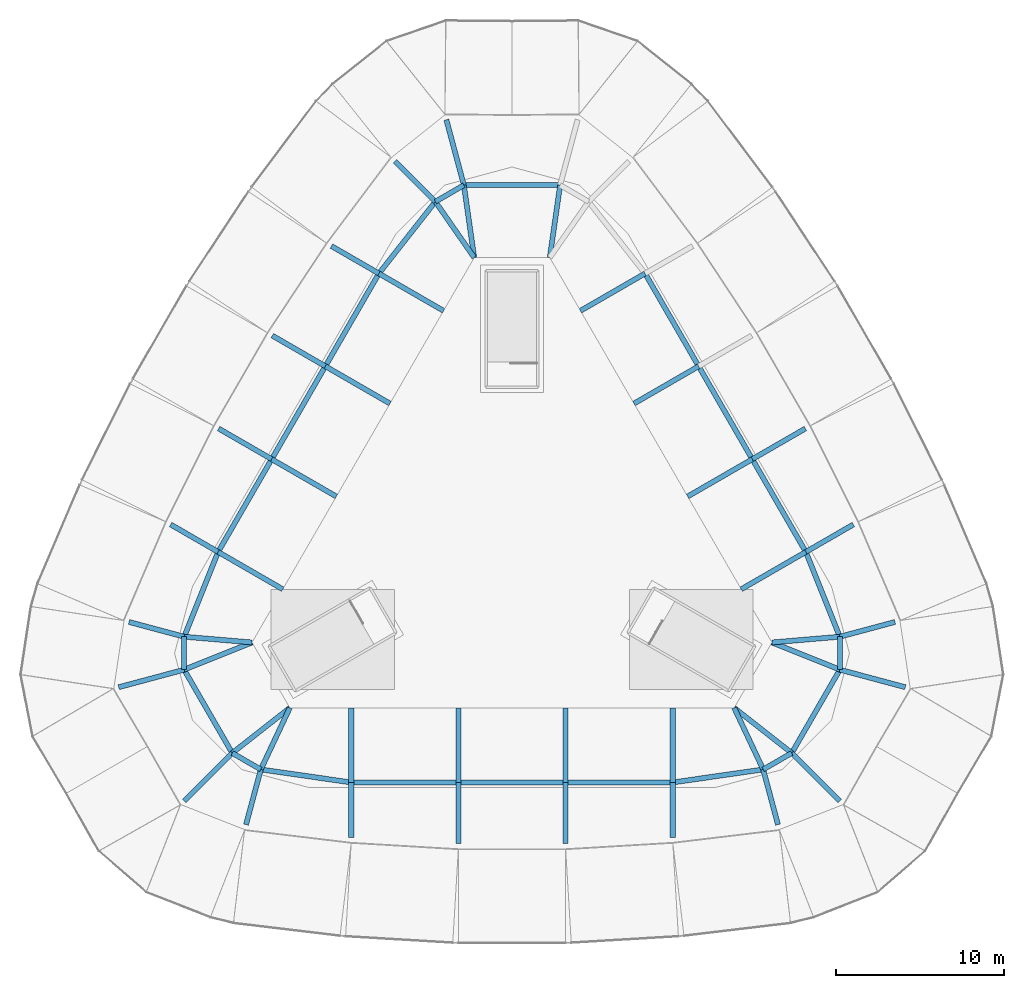
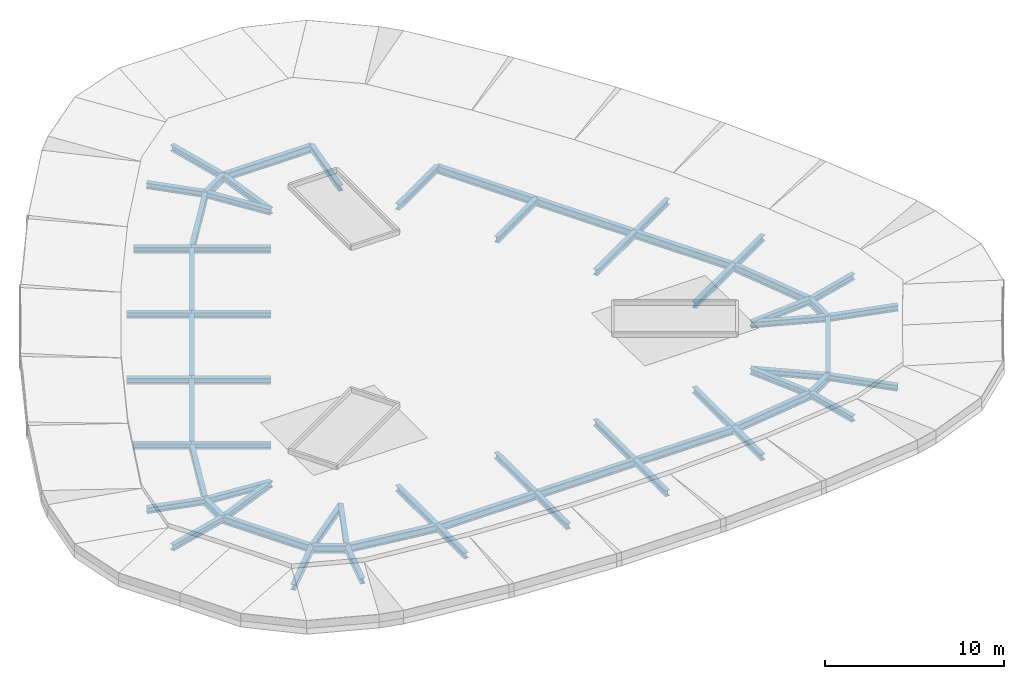
# One storey, part 1 of 9: 65 beams.
"""IFC4 building model written with IfcOpenShell, lengths in metres."""

from ifc_helpers import new_model, si_unit, direction, frame, origin, origin_2d, place, context, subcontext, project, spatial, i_section, extrude, material, material_profile, profile_set, type_object, element, save


model = new_model("IFC4")

# Units and contexts
model_context = context("Model", 3, precision=1e-05, world=origin(), true_north=direction((0.0, 1.0)))
body_context = subcontext(model_context, "Body", "Model", "MODEL_VIEW")
ifc_project = project(units=[si_unit("LENGTHUNIT", "METRE"), si_unit("AREAUNIT", "SQUARE_METRE"), si_unit("VOLUMEUNIT", "CUBIC_METRE"), si_unit("PLANEANGLEUNIT", "RADIAN"), si_unit("MASSUNIT", "GRAM", prefix="KILO")], contexts=[model_context])

# Site, building, storey
site_placement = place(None, origin())
site = spatial("IfcSite", under=ifc_project, at=site_placement, CompositionType="ELEMENT")
building_placement = place(site_placement, origin())
building = spatial("IfcBuilding", under=site, at=building_placement, Name="Mestral Congress Tower", CompositionType="ELEMENT")
storey_placement = place(building_placement, frame((0.0, 0.0, 348.60009765625)))
storey = spatial("IfcBuildingStorey", under=building, at=storey_placement, Name="L81", CompositionType="ELEMENT", Elevation=348.60009765625)

# Beams
ifc_material = material(Name="Steel S355", Category="steel")
ifc_material_profile_1 = material_profile(ifc_material, i_section(OverallWidth=0.300048828125, OverallDepth=0.39990234375, WebThickness=0.013427734375, FlangeThickness=0.02392578125, FilletRadius=0.027099609375, at=origin_2d()), Name="HEB 400")
ifc_profile_set_1 = profile_set([ifc_material_profile_1], Name="Steel S355")
beam_type_1 = type_object("IfcBeamType", Name="Floor beam HEB 400 S355", PredefinedType="BEAM", material=ifc_profile_set_1)
for number, where, z_axis, x_axis, name in (
    (1, (9.587158203125, -10.25, -0.60009765625), (0.0, -1.0, 0.0), (1.0, 0.0, 0.0), "BM-L81-KR00"),
    (2, (3.199462890625, -10.25, -0.60009765625), (0.0, -1.0, 0.0), (1.0, 0.0, 0.0), "BM-L81-KR01"),
    (3, (-3.199462890625, -10.25, -0.60009765625), (0.0, -1.0, 0.0), (1.0, 0.0, 0.0), "BM-L81-KR02"),
    (4, (-9.587158203125, -10.25, -0.60009765625), (0.0, -1.0, 0.0), (1.0, 0.0, 0.0), "BM-L81-KR03"),
):
    element("IfcBeam", number, at=place(storey_placement, frame(where, z_axis=z_axis, x_axis=x_axis)), inside=storey, type_object=beam_type_1, Name=name, PredefinedType="BEAM", context=body_context, shape_type="SweptSolid", body=[
        extrude(i_section(OverallWidth=0.300048828125, OverallDepth=0.39990234375, WebThickness=0.013427734375, FlangeThickness=0.02392578125, FilletRadius=0.027099609375, at=origin_2d()), origin(), (0.0, 0.0, 1.0), 4.449951171875),
    ])
beam_1_placement = place(storey_placement, frame((-13.250244140625, -10.25, -0.60009765625), z_axis=(-0.425828884258, -0.904803714256, 0.0), x_axis=(0.904803714256, -0.425828884258, 0.0)))
element("IfcBeam", 5, at=beam_1_placement, inside=storey, type_object=beam_type_1, Name="BM-L81-KR04", PredefinedType="BEAM", context=body_context, shape_type="SweptSolid", body=[
    extrude(i_section(OverallWidth=0.300048828125, OverallDepth=0.39990234375, WebThickness=0.013427734375, FlangeThickness=0.02392578125, FilletRadius=0.027099609375, at=origin_2d()), origin(), (0.0, 0.0, 1.0), 4.060791015625),
])
for number, where, z_axis, x_axis, name in (
    (6, (-13.250244140625, -10.25, -0.60009765625), (-0.786533746493, -0.617547298292, 0.0), (0.617547298292, -0.786533746493, 0.0), "BM-L81-KR05"),
    (7, (-15.501953125, -6.35009765625, -0.60009765625), (-0.928078801871, -0.372383857757, 0.0), (0.372383857757, -0.928078801871, 0.0), "BM-L81-KR06"),
):
    element("IfcBeam", number, at=place(storey_placement, frame(where, z_axis=z_axis, x_axis=x_axis)), inside=storey, type_object=beam_type_1, Name=name, PredefinedType="BEAM", context=body_context, shape_type="SweptSolid", body=[
        extrude(i_section(OverallWidth=0.300048828125, OverallDepth=0.39990234375, WebThickness=0.013427734375, FlangeThickness=0.02392578125, FilletRadius=0.027099609375, at=origin_2d()), origin(), (0.0, 0.0, 1.0), 4.364501953125),
    ])
beam_2_placement = place(storey_placement, frame((-15.501953125, -6.35009765625, -0.60009765625), z_axis=(-0.996497077205, 0.083627597852, 0.0), x_axis=(-0.083627597852, -0.996497077205, 0.0)))
element("IfcBeam", 8, at=beam_2_placement, inside=storey, type_object=beam_type_1, Name="BM-L81-KR07", PredefinedType="BEAM", context=body_context, shape_type="SweptSolid", body=[
    extrude(i_section(OverallWidth=0.300048828125, OverallDepth=0.39990234375, WebThickness=0.013427734375, FlangeThickness=0.02392578125, FilletRadius=0.027099609375, at=origin_2d()), origin(), (0.0, 0.0, 1.0), 4.060791015625),
])
for number, where, z_axis, x_axis, name in (
    (9, (-13.67041015625, -3.177734375, -0.60009765625), (-0.866012907634, 0.500021643343, 0.0), (-0.500021643343, -0.866012907634, 0.0), "BM-L81-KR08"),
    (10, (-10.4765625, 2.35400390625, -0.60009765625), (-0.866012907634, 0.500021643343, 0.0), (-0.500021643343, -0.866012907634, 0.0), "BM-L81-KR09"),
    (11, (-7.277099609375, 7.89599609375, -0.60009765625), (-0.866036664382, 0.499980495566, 0.0), (-0.499980495566, -0.866036664382, 0.0), "BM-L81-KR10"),
    (12, (-4.083251953125, 13.427734375, -0.60009765625), (-0.866036664382, 0.499980495566, 0.0), (-0.499980495566, -0.866036664382, 0.0), "BM-L81-KR11"),
):
    element("IfcBeam", number, at=place(storey_placement, frame(where, z_axis=z_axis, x_axis=x_axis)), inside=storey, type_object=beam_type_1, Name=name, PredefinedType="BEAM", context=body_context, shape_type="SweptSolid", body=[
        extrude(i_section(OverallWidth=0.300048828125, OverallDepth=0.39990234375, WebThickness=0.013427734375, FlangeThickness=0.02392578125, FilletRadius=0.027099609375, at=origin_2d()), origin(), (0.0, 0.0, 1.0), 4.449951171875),
    ])
beam_3_placement = place(storey_placement, frame((-2.251708984375, 16.60009765625, -0.60009765625), z_axis=(-0.570662800291, 0.821184491064, 0.0), x_axis=(-0.821184491064, -0.570662800291, 0.0)))
element("IfcBeam", 13, at=beam_3_placement, inside=storey, type_object=beam_type_1, Name="BM-L81-KR12", PredefinedType="BEAM", context=body_context, shape_type="SweptSolid", body=[
    extrude(i_section(OverallWidth=0.300048828125, OverallDepth=0.39990234375, WebThickness=0.013427734375, FlangeThickness=0.02392578125, FilletRadius=0.027099609375, at=origin_2d()), origin(), (0.0, 0.0, 1.0), 4.060791015625),
])
for number, where, z_axis, x_axis, name in (
    (14, (-2.251708984375, 16.60009765625, -0.60009765625), (-0.141523162666, 0.989934944544, 0.0), (-0.989934944544, -0.141523162666, 0.0), "BM-L81-KR13"),
    (15, (2.251708984375, 16.60009765625, -0.60009765625), (0.141523162666, 0.989934944544, 0.0), (-0.989934944544, 0.141523162666, 0.0), "BM-L81-KR14"),
):
    element("IfcBeam", number, at=place(storey_placement, frame(where, z_axis=z_axis, x_axis=x_axis)), inside=storey, type_object=beam_type_1, Name=name, PredefinedType="BEAM", context=body_context, shape_type="SweptSolid", body=[
        extrude(i_section(OverallWidth=0.300048828125, OverallDepth=0.39990234375, WebThickness=0.013427734375, FlangeThickness=0.02392578125, FilletRadius=0.027099609375, at=origin_2d()), origin(), (0.0, 0.0, 1.0), 4.364501953125),
    ])
for number, where, z_axis, x_axis, name in (
    (16, (4.083251953125, 13.427734375, -0.60009765625), (0.866036664382, 0.499980495566, 0.0), (-0.499980495566, 0.866036664382, 0.0), "BM-L81-KR16"),
    (17, (7.277099609375, 7.89599609375, -0.60009765625), (0.866036664382, 0.499980495566, 0.0), (-0.499980495566, 0.866036664382, 0.0), "BM-L81-KR17"),
    (18, (10.4765625, 2.35400390625, -0.60009765625), (0.866012907634, 0.500021643343, 0.0), (-0.500021643343, 0.866012907634, 0.0), "BM-L81-KR18"),
    (19, (13.67041015625, -3.177734375, -0.60009765625), (0.866012907634, 0.500021643343, 0.0), (-0.500021643343, 0.866012907634, 0.0), "BM-L81-KR19"),
):
    element("IfcBeam", number, at=place(storey_placement, frame(where, z_axis=z_axis, x_axis=x_axis)), inside=storey, type_object=beam_type_1, Name=name, PredefinedType="BEAM", context=body_context, shape_type="SweptSolid", body=[
        extrude(i_section(OverallWidth=0.300048828125, OverallDepth=0.39990234375, WebThickness=0.013427734375, FlangeThickness=0.02392578125, FilletRadius=0.027099609375, at=origin_2d()), origin(), (0.0, 0.0, 1.0), 4.449951171875),
    ])
beam_4_placement = place(storey_placement, frame((15.501953125, -6.35009765625, -0.60009765625), z_axis=(0.996497077205, 0.083627597852, 0.0), x_axis=(-0.083627597852, 0.996497077205, 0.0)))
element("IfcBeam", 20, at=beam_4_placement, inside=storey, type_object=beam_type_1, Name="BM-L81-KR20", PredefinedType="BEAM", context=body_context, shape_type="SweptSolid", body=[
    extrude(i_section(OverallWidth=0.300048828125, OverallDepth=0.39990234375, WebThickness=0.013427734375, FlangeThickness=0.02392578125, FilletRadius=0.027099609375, at=origin_2d()), origin(), (0.0, 0.0, 1.0), 4.060791015625),
])
for number, where, z_axis, x_axis, name in (
    (21, (15.501953125, -6.35009765625, -0.60009765625), (0.928078801871, -0.372383857757, 0.0), (0.372383857757, 0.928078801871, 0.0), "BM-L81-KR21"),
    (22, (13.250244140625, -10.25, -0.60009765625), (0.786533746493, -0.617547298292, 0.0), (0.617547298292, 0.786533746493, 0.0), "BM-L81-KR22"),
):
    element("IfcBeam", number, at=place(storey_placement, frame(where, z_axis=z_axis, x_axis=x_axis)), inside=storey, type_object=beam_type_1, Name=name, PredefinedType="BEAM", context=body_context, shape_type="SweptSolid", body=[
        extrude(i_section(OverallWidth=0.300048828125, OverallDepth=0.39990234375, WebThickness=0.013427734375, FlangeThickness=0.02392578125, FilletRadius=0.027099609375, at=origin_2d()), origin(), (0.0, 0.0, 1.0), 4.364501953125),
    ])
beam_5_placement = place(storey_placement, frame((13.250244140625, -10.25, -0.60009765625), z_axis=(0.425828884258, -0.904803714256, 0.0), x_axis=(0.904803714256, 0.425828884258, 0.0)))
element("IfcBeam", 23, at=beam_5_placement, inside=storey, type_object=beam_type_1, Name="BM-L81-KR23", PredefinedType="BEAM", context=body_context, shape_type="SweptSolid", body=[
    extrude(i_section(OverallWidth=0.300048828125, OverallDepth=0.39990234375, WebThickness=0.013427734375, FlangeThickness=0.02392578125, FilletRadius=0.027099609375, at=origin_2d()), origin(), (0.0, 0.0, 1.0), 4.060791015625),
])
beam_6_placement = place(storey_placement, frame((9.587158203125, -17.96875, -0.60009765625), z_axis=(0.0, 1.0, 0.0), x_axis=(-1.0, 0.0, 0.0)))
element("IfcBeam", 24, at=beam_6_placement, inside=storey, type_object=beam_type_1, Name="BM-L81-KT-C5-S04", PredefinedType="BEAM", context=body_context, shape_type="SweptSolid", body=[
    extrude(i_section(OverallWidth=0.300048828125, OverallDepth=0.39990234375, WebThickness=0.013427734375, FlangeThickness=0.02392578125, FilletRadius=0.027099609375, at=origin_2d()), origin(), (0.0, 0.0, 1.0), 3.268798828125),
])
for number, where, z_axis, x_axis, name in (
    (25, (3.199462890625, -18.35009765625, -0.60009765625), (0.0, 1.0, 0.0), (-1.0, 0.0, 0.0), "BM-L81-KT-C5-S03"),
    (26, (-3.199462890625, -18.35009765625, -0.60009765625), (0.0, 1.0, 0.0), (-1.0, 0.0, 0.0), "BM-L81-KT-C5-S02"),
):
    element("IfcBeam", number, at=place(storey_placement, frame(where, z_axis=z_axis, x_axis=x_axis)), inside=storey, type_object=beam_type_1, Name=name, PredefinedType="BEAM", context=body_context, shape_type="SweptSolid", body=[
        extrude(i_section(OverallWidth=0.300048828125, OverallDepth=0.39990234375, WebThickness=0.013427734375, FlangeThickness=0.02392578125, FilletRadius=0.027099609375, at=origin_2d()), origin(), (0.0, 0.0, 1.0), 3.650146484375),
    ])
beam_7_placement = place(storey_placement, frame((-9.587158203125, -17.96875, -0.60009765625), z_axis=(0.0, 1.0, 0.0), x_axis=(-1.0, 0.0, 0.0)))
element("IfcBeam", 27, at=beam_7_placement, inside=storey, type_object=beam_type_1, Name="BM-L81-KT-C5-S01", PredefinedType="BEAM", context=body_context, shape_type="SweptSolid", body=[
    extrude(i_section(OverallWidth=0.300048828125, OverallDepth=0.39990234375, WebThickness=0.013427734375, FlangeThickness=0.02392578125, FilletRadius=0.027099609375, at=origin_2d()), origin(), (0.0, 0.0, 1.0), 3.268798828125),
])
beam_8_placement = place(storey_placement, frame((-15.86181640625, -17.21728515625, -0.60009765625), z_axis=(0.258812449793, 0.965927593473, 0.0), x_axis=(-0.965927593473, 0.258812449793, 0.0)))
element("IfcBeam", 28, at=beam_8_placement, inside=storey, type_object=beam_type_1, Name="BM-L81-KT-C5-S00", PredefinedType="BEAM", context=body_context, shape_type="SweptSolid", body=[
    extrude(i_section(OverallWidth=0.300048828125, OverallDepth=0.39990234375, WebThickness=0.013427734375, FlangeThickness=0.02392578125, FilletRadius=0.027099609375, at=origin_2d()), origin(), (0.0, 0.0, 1.0), 3.4091796875),
])
beam_9_placement = place(storey_placement, frame((-19.538818359375, -15.80078125, -0.60009765625), z_axis=(0.707137007821, 0.70707655326, 0.0), x_axis=(-0.70707655326, 0.707137007821, 0.0)))
element("IfcBeam", 29, at=beam_9_placement, inside=storey, type_object=beam_type_1, Name="BM-L81-KT-C5-SW3", PredefinedType="BEAM", context=body_context, shape_type="SweptSolid", body=[
    extrude(i_section(OverallWidth=0.300048828125, OverallDepth=0.39990234375, WebThickness=0.013427734375, FlangeThickness=0.02392578125, FilletRadius=0.027099609375, at=origin_2d()), origin(), (0.0, 0.0, 1.0), 4.038330078125),
])
beam_10_placement = place(storey_placement, frame((-23.453369140625, -9.0205078125, -0.60009765625), z_axis=(0.965930242246, 0.258802563966, 0.0), x_axis=(-0.258802563966, 0.965930242246, 0.0)))
element("IfcBeam", 30, at=beam_10_placement, inside=storey, type_object=beam_type_1, Name="BM-L81-KT-C5-SW1", PredefinedType="BEAM", context=body_context, shape_type="SweptSolid", body=[
    extrude(i_section(OverallWidth=0.300048828125, OverallDepth=0.39990234375, WebThickness=0.013427734375, FlangeThickness=0.02392578125, FilletRadius=0.027099609375, at=origin_2d()), origin(), (0.0, 0.0, 1.0), 4.03857421875),
])
beam_11_placement = place(storey_placement, frame((-22.841552734375, -5.1279296875, -0.60009765625), z_axis=(0.965909688455, -0.258879264811, 0.0), x_axis=(0.258879264811, 0.965909688455, 0.0)))
element("IfcBeam", 31, at=beam_11_placement, inside=storey, type_object=beam_type_1, Name="BM-L81-KT-C5-W05", PredefinedType="BEAM", context=body_context, shape_type="SweptSolid", body=[
    extrude(i_section(OverallWidth=0.300048828125, OverallDepth=0.39990234375, WebThickness=0.013427734375, FlangeThickness=0.02392578125, FilletRadius=0.027099609375, at=origin_2d()), origin(), (0.0, 0.0, 1.0), 3.4091796875),
])
beam_12_placement = place(storey_placement, frame((-20.35498046875, 0.681640625, -0.60009765625), z_axis=(0.86603757612, -0.499978916304, 0.0), x_axis=(0.499978916304, 0.86603757612, 0.0)))
element("IfcBeam", 32, at=beam_12_placement, inside=storey, type_object=beam_type_1, Name="BM-L81-KT-C5-W04", PredefinedType="BEAM", context=body_context, shape_type="SweptSolid", body=[
    extrude(i_section(OverallWidth=0.300048828125, OverallDepth=0.39990234375, WebThickness=0.013427734375, FlangeThickness=0.02392578125, FilletRadius=0.027099609375, at=origin_2d()), origin(), (0.0, 0.0, 1.0), 3.268798828125),
])
beam_13_placement = place(storey_placement, frame((-17.49169921875, 6.404296875, -0.60009765625), z_axis=(0.866028549844, -0.499994550825, 0.0), x_axis=(0.499994550825, 0.866028549844, 0.0)))
element("IfcBeam", 33, at=beam_13_placement, inside=storey, type_object=beam_type_1, Name="BM-L81-KT-C5-W03", PredefinedType="BEAM", context=body_context, shape_type="SweptSolid", body=[
    extrude(i_section(OverallWidth=0.300048828125, OverallDepth=0.39990234375, WebThickness=0.013427734375, FlangeThickness=0.02392578125, FilletRadius=0.027099609375, at=origin_2d()), origin(), (0.0, 0.0, 1.0), 3.650390625),
])
beam_14_placement = place(storey_placement, frame((-14.2919921875, 11.946044921875, -0.60009765625), z_axis=(0.866011828767, -0.500023511883, 0.0), x_axis=(0.500023511883, 0.866011828767, 0.0)))
element("IfcBeam", 34, at=beam_14_placement, inside=storey, type_object=beam_type_1, Name="BM-L81-KT-C5-W02", PredefinedType="BEAM", context=body_context, shape_type="SweptSolid", body=[
    extrude(i_section(OverallWidth=0.300048828125, OverallDepth=0.39990234375, WebThickness=0.013427734375, FlangeThickness=0.02392578125, FilletRadius=0.027099609375, at=origin_2d()), origin(), (0.0, 0.0, 1.0), 3.650146484375),
])
beam_15_placement = place(storey_placement, frame((-10.767822265625, 17.287109375, -0.60009765625), z_axis=(0.866005234444, -0.500034932695, 0.0), x_axis=(0.500034932695, 0.866005234444, 0.0)))
element("IfcBeam", 35, at=beam_15_placement, inside=storey, type_object=beam_type_1, Name="BM-L81-KT-C5-W01", PredefinedType="BEAM", context=body_context, shape_type="SweptSolid", body=[
    extrude(i_section(OverallWidth=0.300048828125, OverallDepth=0.39990234375, WebThickness=0.013427734375, FlangeThickness=0.02392578125, FilletRadius=0.027099609375, at=origin_2d()), origin(), (0.0, 0.0, 1.0), 3.268798828125),
])
beam_16_placement = place(storey_placement, frame((-6.979736328125, 22.34521484375, -0.60009765625), z_axis=(0.707142588594, -0.707070971966, 0.0), x_axis=(0.707070971966, 0.707142588594, 0.0)))
element("IfcBeam", 36, at=beam_16_placement, inside=storey, type_object=beam_type_1, Name="BM-L81-KT-C5-W00", PredefinedType="BEAM", context=body_context, shape_type="SweptSolid", body=[
    extrude(i_section(OverallWidth=0.300048828125, OverallDepth=0.39990234375, WebThickness=0.013427734375, FlangeThickness=0.02392578125, FilletRadius=0.027099609375, at=origin_2d()), origin(), (0.0, 0.0, 1.0), 3.408935546875),
])
beam_17_placement = place(storey_placement, frame((-3.91455078125, 24.821533203125, -0.60009765625), z_axis=(0.258802563966, -0.965930242246, 0.0), x_axis=(0.965930242246, 0.258802563966, 0.0)))
element("IfcBeam", 37, at=beam_17_placement, inside=storey, type_object=beam_type_1, Name="BM-L81-KT-C5-N3", PredefinedType="BEAM", context=body_context, shape_type="SweptSolid", body=[
    extrude(i_section(OverallWidth=0.300048828125, OverallDepth=0.39990234375, WebThickness=0.013427734375, FlangeThickness=0.02392578125, FilletRadius=0.027099609375, at=origin_2d()), origin(), (0.0, 0.0, 1.0), 4.03857421875),
])
beam_18_placement = place(storey_placement, frame((17.49169921875, 6.404296875, -0.60009765625), z_axis=(-0.866028549844, -0.499994550825, 0.0), x_axis=(0.499994550825, -0.866028549844, 0.0)))
element("IfcBeam", 38, at=beam_18_placement, inside=storey, type_object=beam_type_1, Name="BM-L81-KT-C5-E02", PredefinedType="BEAM", context=body_context, shape_type="SweptSolid", body=[
    extrude(i_section(OverallWidth=0.300048828125, OverallDepth=0.39990234375, WebThickness=0.013427734375, FlangeThickness=0.02392578125, FilletRadius=0.027099609375, at=origin_2d()), origin(), (0.0, 0.0, 1.0), 3.650390625),
])
beam_19_placement = place(storey_placement, frame((20.35498046875, 0.681640625, -0.60009765625), z_axis=(-0.86603757612, -0.499978916304, 0.0), x_axis=(0.499978916304, -0.86603757612, 0.0)))
element("IfcBeam", 39, at=beam_19_placement, inside=storey, type_object=beam_type_1, Name="BM-L81-KT-C5-E01", PredefinedType="BEAM", context=body_context, shape_type="SweptSolid", body=[
    extrude(i_section(OverallWidth=0.300048828125, OverallDepth=0.39990234375, WebThickness=0.013427734375, FlangeThickness=0.02392578125, FilletRadius=0.027099609375, at=origin_2d()), origin(), (0.0, 0.0, 1.0), 3.268798828125),
])
beam_20_placement = place(storey_placement, frame((22.841552734375, -5.1279296875, -0.60009765625), z_axis=(-0.965909688455, -0.258879264811, 0.0), x_axis=(0.258879264811, -0.965909688455, 0.0)))
element("IfcBeam", 40, at=beam_20_placement, inside=storey, type_object=beam_type_1, Name="BM-L81-KT-C5-E00", PredefinedType="BEAM", context=body_context, shape_type="SweptSolid", body=[
    extrude(i_section(OverallWidth=0.300048828125, OverallDepth=0.39990234375, WebThickness=0.013427734375, FlangeThickness=0.02392578125, FilletRadius=0.027099609375, at=origin_2d()), origin(), (0.0, 0.0, 1.0), 3.4091796875),
])
beam_21_placement = place(storey_placement, frame((23.453369140625, -9.0205078125, -0.60009765625), z_axis=(-0.965930242246, 0.258802563966, 0.0), x_axis=(-0.258802563966, -0.965930242246, 0.0)))
element("IfcBeam", 41, at=beam_21_placement, inside=storey, type_object=beam_type_1, Name="BM-L81-KT-C5-SE3", PredefinedType="BEAM", context=body_context, shape_type="SweptSolid", body=[
    extrude(i_section(OverallWidth=0.300048828125, OverallDepth=0.39990234375, WebThickness=0.013427734375, FlangeThickness=0.02392578125, FilletRadius=0.027099609375, at=origin_2d()), origin(), (0.0, 0.0, 1.0), 4.03857421875),
])
beam_22_placement = place(storey_placement, frame((19.538818359375, -15.80078125, -0.60009765625), z_axis=(-0.707137007821, 0.70707655326, 0.0), x_axis=(-0.70707655326, -0.707137007821, 0.0)))
element("IfcBeam", 42, at=beam_22_placement, inside=storey, type_object=beam_type_1, Name="BM-L81-KT-C5-SE1", PredefinedType="BEAM", context=body_context, shape_type="SweptSolid", body=[
    extrude(i_section(OverallWidth=0.300048828125, OverallDepth=0.39990234375, WebThickness=0.013427734375, FlangeThickness=0.02392578125, FilletRadius=0.027099609375, at=origin_2d()), origin(), (0.0, 0.0, 1.0), 4.038330078125),
])
beam_23_placement = place(storey_placement, frame((15.86181640625, -17.21728515625, -0.60009765625), z_axis=(-0.258812449793, 0.965927593473, 0.0), x_axis=(-0.965927593473, -0.258812449793, 0.0)))
element("IfcBeam", 43, at=beam_23_placement, inside=storey, type_object=beam_type_1, Name="BM-L81-KT-C5-S05", PredefinedType="BEAM", context=body_context, shape_type="SweptSolid", body=[
    extrude(i_section(OverallWidth=0.300048828125, OverallDepth=0.39990234375, WebThickness=0.013427734375, FlangeThickness=0.02392578125, FilletRadius=0.027099609375, at=origin_2d()), origin(), (0.0, 0.0, 1.0), 3.4091796875),
])
ifc_material_profile_2 = material_profile(ifc_material, i_section(OverallWidth=0.300048828125, OverallDepth=0.5, WebThickness=0.014404296875, FlangeThickness=0.028076171875, FilletRadius=0.027099609375, at=origin_2d()), Name="HEB 500")
ifc_profile_set_2 = profile_set([ifc_material_profile_2], Name="Steel S355")
beam_type_2 = type_object("IfcBeamType", Name="Floor beam HEB 500 S355", PredefinedType="BEAM", material=ifc_profile_set_2)
beam_24_placement = place(storey_placement, frame((9.587158203125, -14.699951171875, -0.650146484375), z_axis=(-1.0, 0.0, 0.0), x_axis=(0.0, -1.0, 0.0)))
element("IfcBeam", 44, at=beam_24_placement, inside=storey, type_object=beam_type_2, Name="BM-L81-KG00", PredefinedType="BEAM", context=body_context, shape_type="SweptSolid", body=[
    extrude(i_section(OverallWidth=0.300048828125, OverallDepth=0.5, WebThickness=0.014404296875, FlangeThickness=0.028076171875, FilletRadius=0.027099609375, at=origin_2d()), origin(), (0.0, 0.0, 1.0), 6.3876953125),
])
beam_25_placement = place(storey_placement, frame((3.199462890625, -14.699951171875, -0.650146484375), z_axis=(-1.0, 0.0, 0.0), x_axis=(0.0, -1.0, 0.0)))
element("IfcBeam", 45, at=beam_25_placement, inside=storey, type_object=beam_type_2, Name="BM-L81-KG01", PredefinedType="BEAM", context=body_context, shape_type="SweptSolid", body=[
    extrude(i_section(OverallWidth=0.300048828125, OverallDepth=0.5, WebThickness=0.014404296875, FlangeThickness=0.028076171875, FilletRadius=0.027099609375, at=origin_2d()), origin(), (0.0, 0.0, 1.0), 6.39892578125),
])
beam_26_placement = place(storey_placement, frame((-3.199462890625, -14.699951171875, -0.650146484375), z_axis=(-1.0, 0.0, 0.0), x_axis=(0.0, -1.0, 0.0)))
element("IfcBeam", 46, at=beam_26_placement, inside=storey, type_object=beam_type_2, Name="BM-L81-KG02", PredefinedType="BEAM", context=body_context, shape_type="SweptSolid", body=[
    extrude(i_section(OverallWidth=0.300048828125, OverallDepth=0.5, WebThickness=0.014404296875, FlangeThickness=0.028076171875, FilletRadius=0.027099609375, at=origin_2d()), origin(), (0.0, 0.0, 1.0), 6.3876953125),
])
beam_27_placement = place(storey_placement, frame((-9.587158203125, -14.699951171875, -0.650146484375), z_axis=(-0.989812798939, 0.1423749383, 0.0), x_axis=(-0.1423749383, -0.989812798939, 0.0)))
element("IfcBeam", 47, at=beam_27_placement, inside=storey, type_object=beam_type_2, Name="BM-L81-KG03", PredefinedType="BEAM", context=body_context, shape_type="SweptSolid", body=[
    extrude(i_section(OverallWidth=0.300048828125, OverallDepth=0.5, WebThickness=0.014404296875, FlangeThickness=0.028076171875, FilletRadius=0.027099609375, at=origin_2d()), origin(), (0.0, 0.0, 1.0), 5.44775390625),
])
beam_28_placement = place(storey_placement, frame((-14.9794921875, -13.92431640625, -0.650146484375), z_axis=(-0.86703245351, 0.498251667895, 0.0), x_axis=(-0.498251667895, -0.86703245351, 0.0)))
element("IfcBeam", 48, at=beam_28_placement, inside=storey, type_object=beam_type_2, Name="BM-L81-KG04", PredefinedType="BEAM", context=body_context, shape_type="SweptSolid", body=[
    extrude(i_section(OverallWidth=0.300048828125, OverallDepth=0.5, WebThickness=0.014404296875, FlangeThickness=0.028076171875, FilletRadius=0.027099609375, at=origin_2d()), origin(), (0.0, 0.0, 1.0), 1.96484375),
])
beam_29_placement = place(storey_placement, frame((-16.68310546875, -12.9453125, -0.650146484375), z_axis=(-0.499996189405, 0.866027603821, 0.0), x_axis=(-0.866027603821, -0.499996189405, 0.0)))
element("IfcBeam", 49, at=beam_29_placement, inside=storey, type_object=beam_type_2, Name="BM-L81-KG05", PredefinedType="BEAM", context=body_context, shape_type="SweptSolid", body=[
    extrude(i_section(OverallWidth=0.300048828125, OverallDepth=0.5, WebThickness=0.014404296875, FlangeThickness=0.028076171875, FilletRadius=0.027099609375, at=origin_2d()), origin(), (0.0, 0.0, 1.0), 5.73876953125),
])
beam_30_placement = place(storey_placement, frame((-19.552490234375, -7.975341796875, -0.650146484375), z_axis=(0.001988067642, 0.999998023792, 0.0), x_axis=(-0.999998023792, 0.001988067642, 0.0)))
element("IfcBeam", 50, at=beam_30_placement, inside=storey, type_object=beam_type_2, Name="BM-L81-KG06", PredefinedType="BEAM", context=body_context, shape_type="SweptSolid", body=[
    extrude(i_section(OverallWidth=0.300048828125, OverallDepth=0.5, WebThickness=0.014404296875, FlangeThickness=0.028076171875, FilletRadius=0.027099609375, at=origin_2d()), origin(), (0.0, 0.0, 1.0), 1.96484375),
])
beam_31_placement = place(storey_placement, frame((-19.548583984375, -6.010498046875, -0.650146484375), z_axis=(0.37159155469, 0.928396314341, 0.0), x_axis=(-0.928396314341, 0.37159155469, 0.0)))
element("IfcBeam", 51, at=beam_31_placement, inside=storey, type_object=beam_type_2, Name="BM-L81-KG07", PredefinedType="BEAM", context=body_context, shape_type="SweptSolid", body=[
    extrude(i_section(OverallWidth=0.300048828125, OverallDepth=0.5, WebThickness=0.014404296875, FlangeThickness=0.028076171875, FilletRadius=0.027099609375, at=origin_2d()), origin(), (0.0, 0.0, 1.0), 5.447998046875),
])
beam_32_placement = place(storey_placement, frame((-17.524169921875, -0.95263671875, -0.650146484375), z_axis=(0.500011397576, 0.866018823291, 0.0), x_axis=(-0.866018823291, 0.500011397576, 0.0)))
element("IfcBeam", 52, at=beam_32_placement, inside=storey, type_object=beam_type_2, Name="BM-L81-KG08", PredefinedType="BEAM", context=body_context, shape_type="SweptSolid", body=[
    extrude(i_section(OverallWidth=0.300048828125, OverallDepth=0.5, WebThickness=0.014404296875, FlangeThickness=0.028076171875, FilletRadius=0.027099609375, at=origin_2d()), origin(), (0.0, 0.0, 1.0), 6.387451171875),
])
beam_33_placement = place(storey_placement, frame((-14.330322265625, 4.5791015625, -0.650146484375), z_axis=(0.499992166441, 0.866029926444, 0.0), x_axis=(-0.866029926444, 0.499992166441, 0.0)))
element("IfcBeam", 53, at=beam_33_placement, inside=storey, type_object=beam_type_2, Name="BM-L81-KG09", PredefinedType="BEAM", context=body_context, shape_type="SweptSolid", body=[
    extrude(i_section(OverallWidth=0.300048828125, OverallDepth=0.5, WebThickness=0.014404296875, FlangeThickness=0.028076171875, FilletRadius=0.027099609375, at=origin_2d()), origin(), (0.0, 0.0, 1.0), 6.39892578125),
])
beam_34_placement = place(storey_placement, frame((-11.130859375, 10.120849609375, -0.650146484375), z_axis=(0.500011397576, 0.866018823291, 0.0), x_axis=(-0.866018823291, 0.500011397576, 0.0)))
element("IfcBeam", 54, at=beam_34_placement, inside=storey, type_object=beam_type_2, Name="BM-L81-KG10", PredefinedType="BEAM", context=body_context, shape_type="SweptSolid", body=[
    extrude(i_section(OverallWidth=0.300048828125, OverallDepth=0.5, WebThickness=0.014404296875, FlangeThickness=0.028076171875, FilletRadius=0.027099609375, at=origin_2d()), origin(), (0.0, 0.0, 1.0), 6.387451171875),
])
beam_35_placement = place(storey_placement, frame((-7.93701171875, 15.652587890625, -0.650146484375), z_axis=(0.618197515987, 0.786022793071, 0.0), x_axis=(-0.786022793071, 0.618197515987, 0.0)))
element("IfcBeam", 55, at=beam_35_placement, inside=storey, type_object=beam_type_2, Name="BM-L81-KG11", PredefinedType="BEAM", context=body_context, shape_type="SweptSolid", body=[
    extrude(i_section(OverallWidth=0.300048828125, OverallDepth=0.5, WebThickness=0.014404296875, FlangeThickness=0.028076171875, FilletRadius=0.027099609375, at=origin_2d()), origin(), (0.0, 0.0, 1.0), 5.447998046875),
])
beam_36_placement = place(storey_placement, frame((-4.569091796875, 19.934814453125, -0.650146484375), z_axis=(0.865029032264, 0.501721808716, 0.0), x_axis=(-0.501721808716, 0.865029032264, 0.0)))
element("IfcBeam", 56, at=beam_36_placement, inside=storey, type_object=beam_type_2, Name="BM-L81-KG12", PredefinedType="BEAM", context=body_context, shape_type="SweptSolid", body=[
    extrude(i_section(OverallWidth=0.300048828125, OverallDepth=0.5, WebThickness=0.014404296875, FlangeThickness=0.028076171875, FilletRadius=0.027099609375, at=origin_2d()), origin(), (0.0, 0.0, 1.0), 1.96484375),
])
beam_37_placement = place(storey_placement, frame((-2.869384765625, 20.920654296875, -0.650146484375), z_axis=(1.0, 0.0, 0.0), x_axis=(0.0, 1.0, 0.0)))
element("IfcBeam", 57, at=beam_37_placement, inside=storey, type_object=beam_type_2, Name="BM-L81-KG13", PredefinedType="BEAM", context=body_context, shape_type="SweptSolid", body=[
    extrude(i_section(OverallWidth=0.300048828125, OverallDepth=0.5, WebThickness=0.014404296875, FlangeThickness=0.028076171875, FilletRadius=0.027099609375, at=origin_2d()), origin(), (0.0, 0.0, 1.0), 5.73876953125),
])
beam_38_placement = place(storey_placement, frame((7.93701171875, 15.652587890625, -0.650146484375), z_axis=(0.500011397576, -0.866018823291, 0.0), x_axis=(0.866018823291, 0.500011397576, 0.0)))
element("IfcBeam", 58, at=beam_38_placement, inside=storey, type_object=beam_type_2, Name="BM-L81-KG16", PredefinedType="BEAM", context=body_context, shape_type="SweptSolid", body=[
    extrude(i_section(OverallWidth=0.300048828125, OverallDepth=0.5, WebThickness=0.014404296875, FlangeThickness=0.028076171875, FilletRadius=0.027099609375, at=origin_2d()), origin(), (0.0, 0.0, 1.0), 6.387451171875),
])
beam_39_placement = place(storey_placement, frame((11.130859375, 10.120849609375, -0.650146484375), z_axis=(0.499992166441, -0.866029926444, 0.0), x_axis=(0.866029926444, 0.499992166441, 0.0)))
element("IfcBeam", 59, at=beam_39_placement, inside=storey, type_object=beam_type_2, Name="BM-L81-KG17", PredefinedType="BEAM", context=body_context, shape_type="SweptSolid", body=[
    extrude(i_section(OverallWidth=0.300048828125, OverallDepth=0.5, WebThickness=0.014404296875, FlangeThickness=0.028076171875, FilletRadius=0.027099609375, at=origin_2d()), origin(), (0.0, 0.0, 1.0), 6.39892578125),
])
beam_40_placement = place(storey_placement, frame((14.330322265625, 4.5791015625, -0.650146484375), z_axis=(0.500011397576, -0.866018823291, 0.0), x_axis=(0.866018823291, 0.500011397576, 0.0)))
element("IfcBeam", 60, at=beam_40_placement, inside=storey, type_object=beam_type_2, Name="BM-L81-KG18", PredefinedType="BEAM", context=body_context, shape_type="SweptSolid", body=[
    extrude(i_section(OverallWidth=0.300048828125, OverallDepth=0.5, WebThickness=0.014404296875, FlangeThickness=0.028076171875, FilletRadius=0.027099609375, at=origin_2d()), origin(), (0.0, 0.0, 1.0), 6.387451171875),
])
beam_41_placement = place(storey_placement, frame((17.524169921875, -0.95263671875, -0.650146484375), z_axis=(0.37159155469, -0.928396314341, 0.0), x_axis=(0.928396314341, 0.37159155469, 0.0)))
element("IfcBeam", 61, at=beam_41_placement, inside=storey, type_object=beam_type_2, Name="BM-L81-KG19", PredefinedType="BEAM", context=body_context, shape_type="SweptSolid", body=[
    extrude(i_section(OverallWidth=0.300048828125, OverallDepth=0.5, WebThickness=0.014404296875, FlangeThickness=0.028076171875, FilletRadius=0.027099609375, at=origin_2d()), origin(), (0.0, 0.0, 1.0), 5.447998046875),
])
beam_42_placement = place(storey_placement, frame((19.548583984375, -6.010498046875, -0.650146484375), z_axis=(0.001988067642, -0.999998023792, 0.0), x_axis=(0.999998023792, 0.001988067642, 0.0)))
element("IfcBeam", 62, at=beam_42_placement, inside=storey, type_object=beam_type_2, Name="BM-L81-KG20", PredefinedType="BEAM", context=body_context, shape_type="SweptSolid", body=[
    extrude(i_section(OverallWidth=0.300048828125, OverallDepth=0.5, WebThickness=0.014404296875, FlangeThickness=0.028076171875, FilletRadius=0.027099609375, at=origin_2d()), origin(), (0.0, 0.0, 1.0), 1.96484375),
])
beam_43_placement = place(storey_placement, frame((19.552490234375, -7.975341796875, -0.650146484375), z_axis=(-0.499996189405, -0.866027603821, 0.0), x_axis=(0.866027603821, -0.499996189405, 0.0)))
element("IfcBeam", 63, at=beam_43_placement, inside=storey, type_object=beam_type_2, Name="BM-L81-KG21", PredefinedType="BEAM", context=body_context, shape_type="SweptSolid", body=[
    extrude(i_section(OverallWidth=0.300048828125, OverallDepth=0.5, WebThickness=0.014404296875, FlangeThickness=0.028076171875, FilletRadius=0.027099609375, at=origin_2d()), origin(), (0.0, 0.0, 1.0), 5.73876953125),
])
beam_44_placement = place(storey_placement, frame((16.68310546875, -12.9453125, -0.650146484375), z_axis=(-0.86703245351, -0.498251667895, 0.0), x_axis=(0.498251667895, -0.86703245351, 0.0)))
element("IfcBeam", 64, at=beam_44_placement, inside=storey, type_object=beam_type_2, Name="BM-L81-KG22", PredefinedType="BEAM", context=body_context, shape_type="SweptSolid", body=[
    extrude(i_section(OverallWidth=0.300048828125, OverallDepth=0.5, WebThickness=0.014404296875, FlangeThickness=0.028076171875, FilletRadius=0.027099609375, at=origin_2d()), origin(), (0.0, 0.0, 1.0), 1.96484375),
])
beam_45_placement = place(storey_placement, frame((14.9794921875, -13.92431640625, -0.650146484375), z_axis=(-0.989812798939, -0.1423749383, 0.0), x_axis=(0.1423749383, -0.989812798939, 0.0)))
element("IfcBeam", 65, at=beam_45_placement, inside=storey, type_object=beam_type_2, Name="BM-L81-KG23", PredefinedType="BEAM", context=body_context, shape_type="SweptSolid", body=[
    extrude(i_section(OverallWidth=0.300048828125, OverallDepth=0.5, WebThickness=0.014404296875, FlangeThickness=0.028076171875, FilletRadius=0.027099609375, at=origin_2d()), origin(), (0.0, 0.0, 1.0), 5.44775390625),
])

save(model, "model.ifc")
